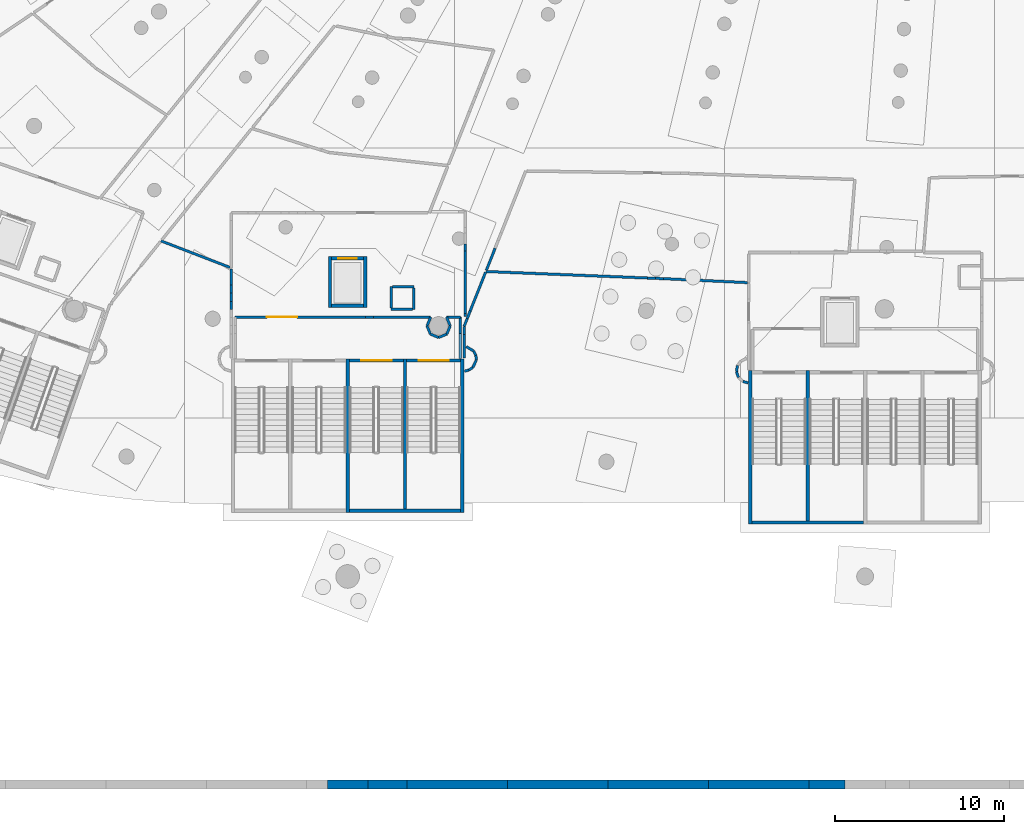
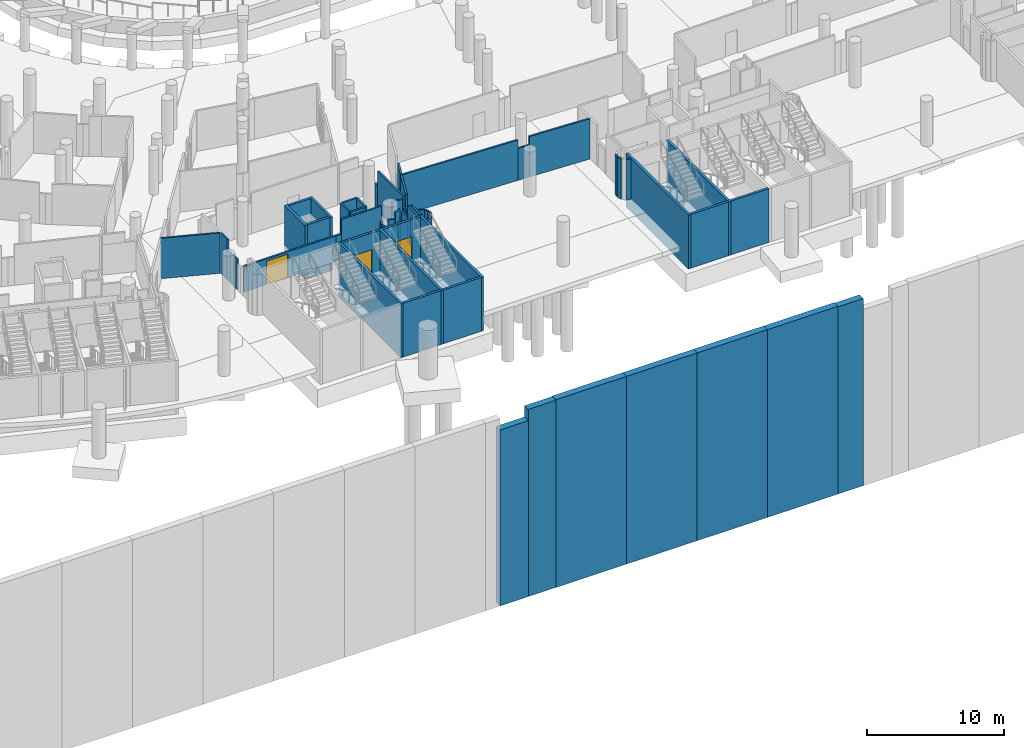
# One storey, part 39 of 142: 63 walls, 4 doors, 4 openings.
"""IFC4 building model written with IfcOpenShell, lengths in metres."""

from ifc_helpers import new_model, si_unit, direction, frame, frame_2d, origin, place, context, subcontext, project, spatial, rectangle, extrude, material, layer, layer_set, type_object, element, fill, save


model = new_model("IFC4")

# Units and contexts
model_context = context("Model", 3, precision=1e-05, world=origin(), true_north=direction((0.0, 1.0)))
body_context = subcontext(model_context, "Body", "Model", "MODEL_VIEW")
ifc_project = project(units=[si_unit("LENGTHUNIT", "METRE"), si_unit("AREAUNIT", "SQUARE_METRE"), si_unit("VOLUMEUNIT", "CUBIC_METRE"), si_unit("PLANEANGLEUNIT", "RADIAN"), si_unit("MASSUNIT", "GRAM", prefix="KILO")], contexts=[model_context])

# Site, building, storey
site_placement = place(None, origin())
site = spatial("IfcSite", under=ifc_project, at=site_placement, CompositionType="ELEMENT")
building_placement = place(site_placement, origin())
building = spatial("IfcBuilding", under=site, at=building_placement, Name="Meseta Stadium", CompositionType="ELEMENT")
storey_placement = place(building_placement, frame((0.0, 0.0, -4.0)))
storey = spatial("IfcBuildingStorey", under=building, at=storey_placement, Name="B1", CompositionType="ELEMENT", Elevation=-4.0)

# Walls
ifc_material_1 = material(Name="Concrete C40/50", Category="concrete")
ifc_layer_1 = layer(ifc_material_1, 0.199951171875)
ifc_layer_set_1 = layer_set([ifc_layer_1], Name="Core divider wall 200")
wall_type_1 = type_object("IfcWallType", Name="Core divider wall 200", PredefinedType="SHEAR", material=ifc_layer_set_1)
for number, where, z_axis, x_axis, name in (
    (1, (-34.933349609375, -101.60009765625, -1.199951171875), (0.0, 0.0, 1.0), (0.0, 1.0, 0.0), "Core 23 B1 stair B divider wall"),
    (2, (-11.066650390625, -102.300048828125, -1.199951171875), (0.0, 0.0, 1.0), (0.0, 1.0, 0.0), "Core 24 B1 stair A divider wall"),
):
    element("IfcWall", number, at=place(storey_placement, frame(where, z_axis=z_axis, x_axis=x_axis)), inside=storey, type_object=wall_type_1, Name=name, PredefinedType="SHEAR", context=body_context, shape_type="SweptSolid", body=[
        extrude(rectangle(XDim=9.10009765625, YDim=0.199951171875, at=frame_2d((4.550048828125, 0.0))), origin(), (0.0, 0.0, 1.0), 4.800048828125),
    ])
ifc_material_2 = material(Name="Concrete C40/50", Category="concrete")
ifc_layer_2 = layer(ifc_material_2, 0.199951171875)
ifc_layer_set_2 = layer_set([ifc_layer_2], Name="Core shaft wall 200")
wall_type_2 = type_object("IfcWallType", Name="Core shaft wall 200", PredefinedType="SHEAR", material=ifc_layer_set_2)
for number, where, z_axis, x_axis, name in (
    (3, (-38.333251953125, -101.60009765625, -1.199951171875), (0.0, 0.0, 1.0), (0.0, 1.0, 0.0), "Core 23 B1 stair wall shared"),
    (4, (-31.533203125, -101.60009765625, -1.199951171875), (0.0, 0.0, 1.0), (0.0, 1.0, 0.0), "Core 23 B1 stair wall B-side"),
):
    element("IfcWall", number, at=place(storey_placement, frame(where, z_axis=z_axis, x_axis=x_axis)), inside=storey, type_object=wall_type_2, Name=name, PredefinedType="SHEAR", context=body_context, shape_type="SweptSolid", body=[
        extrude(rectangle(XDim=9.10009765625, YDim=0.199951171875, at=frame_2d((4.550048828125, 0.0))), origin(), (0.0, 0.0, 1.0), 4.800048828125),
    ])
wall_1_placement = place(storey_placement, frame((-38.2333984375, -101.5, -1.199951171875), z_axis=(0.0, 0.0, 1.0), x_axis=(1.0, 0.0, 0.0)))
element("IfcWall", 5, at=wall_1_placement, inside=storey, type_object=wall_type_2, Name="Core 23 B1 stair B outer end wall", PredefinedType="SHEAR", context=body_context, shape_type="SweptSolid", body=[
    extrude(rectangle(XDim=6.60009765625, YDim=0.199951171875, at=frame_2d((3.300048828125, 0.0))), origin(), (0.0, 0.0, 1.0), 4.800048828125),
])

# Wall, opening, door
wall_2_placement = place(storey_placement, frame((-38.2333984375, -92.60009765625, -1.199951171875), z_axis=(0.0, 0.0, 1.0), x_axis=(1.0, 0.0, 0.0)))
wall_2 = element("IfcWall", 6, at=wall_2_placement, inside=storey, type_object=wall_type_2, Name="Core 23 B1 stair B1 inner end wall", PredefinedType="SHEAR", context=body_context, shape_type="SweptSolid", body=[
    extrude(rectangle(XDim=3.2001953125, YDim=0.199951171875, at=frame_2d((1.60009765625, 0.0))), origin(), (0.0, 0.0, 1.0), 4.800048828125),
])
opening_1_placement = place(wall_2_placement, frame((0.699951171875, 0.0, 1.199951171875)))
opening_1 = element("IfcOpeningElement", 7, at=opening_1_placement, cuts=wall_2, Name="Opening D307", PredefinedType="OPENING", context=body_context, shape_type="SweptSolid", body=[
    extrude(rectangle(XDim=1.800048828125, YDim=2.10009765625, at=frame_2d((0.89990234375, 1.050048828125))), frame((0.0, 0.10986328125, 0.0), z_axis=(0.0, -1.0, 0.0), x_axis=(1.0, 0.0, 0.0)), (0.0, 0.0, 1.0), 0.219970703125),
])
ifc_material_3 = material(Name="Steel", Category="steel")
door_type_1 = type_object("IfcDoorType", Name="Stair door 1800x2100", OperationType="DOUBLE_DOOR_SINGLE_SWING", PredefinedType="DOOR", material=ifc_material_3)
door_1_placement = place(opening_1_placement, origin())
door_1 = element("IfcDoor", 8, at=door_1_placement, inside=storey, type_object=door_type_1, Name="Stair B1 door 23 B1", OperationType="DOUBLE_DOOR_SINGLE_SWING", OverallHeight=2.10009765625, OverallWidth=1.800048828125, PredefinedType="DOOR", context=body_context, shape_type="SweptSolid", body=[
    extrude(rectangle(XDim=1.800048828125, YDim=2.10009765625, at=frame_2d((0.89990234375, 1.050048828125))), frame((0.0, 0.02490234375, 0.0), z_axis=(0.0, -1.0, 0.0), x_axis=(1.0, 0.0, 0.0)), (0.0, 0.0, 1.0), 0.050048828125),
])
fill(opening_1, door_1)

wall_3_placement = place(storey_placement, frame((-34.833251953125, -92.60009765625, -1.199951171875), z_axis=(0.0, 0.0, 1.0), x_axis=(1.0, 0.0, 0.0)))
wall_3 = element("IfcWall", 9, at=wall_3_placement, inside=storey, type_object=wall_type_2, Name="Core 23 B1 stair B2 inner end wall", PredefinedType="SHEAR", context=body_context, shape_type="SweptSolid", body=[
    extrude(rectangle(XDim=3.199951171875, YDim=0.199951171875, at=frame_2d((1.60009765625, 0.0))), origin(), (0.0, 0.0, 1.0), 4.800048828125),
])
opening_2_placement = place(wall_3_placement, frame((0.699951171875, 0.0, 1.199951171875)))
opening_2 = element("IfcOpeningElement", 10, at=opening_2_placement, cuts=wall_3, Name="Opening D308", PredefinedType="OPENING", context=body_context, shape_type="SweptSolid", body=[
    extrude(rectangle(XDim=1.800048828125, YDim=2.10009765625, at=frame_2d((0.89990234375, 1.050048828125))), frame((0.0, 0.10986328125, 0.0), z_axis=(0.0, -1.0, 0.0), x_axis=(1.0, 0.0, 0.0)), (0.0, 0.0, 1.0), 0.219970703125),
])
door_2_placement = place(opening_2_placement, origin())
door_2 = element("IfcDoor", 11, at=door_2_placement, inside=storey, type_object=door_type_1, Name="Stair B2 door 23 B1", OperationType="DOUBLE_DOOR_SINGLE_SWING", OverallHeight=2.10009765625, OverallWidth=1.800048828125, PredefinedType="DOOR", context=body_context, shape_type="SweptSolid", body=[
    extrude(rectangle(XDim=1.800048828125, YDim=2.10009765625, at=frame_2d((0.89990234375, 1.050048828125))), frame((0.0, 0.02490234375, 0.0), z_axis=(0.0, -1.0, 0.0), x_axis=(1.0, 0.0, 0.0)), (0.0, 0.0, 1.0), 0.050048828125),
])
fill(opening_2, door_2)

# Walls
for number, where, z_axis, x_axis, name in (
    (12, (-39.38330078125, -89.451171875, -1.199951171875), (0.0, 0.0, 1.0), (0.0, 1.0, 0.0), "Core 23 B1 lift shaft wall left"),
    (13, (-37.283203125, -89.451171875, -1.199951171875), (0.0, 0.0, 1.0), (0.0, 1.0, 0.0), "Core 23 B1 lift shaft wall right"),
):
    element("IfcWall", number, at=place(storey_placement, frame(where, z_axis=z_axis, x_axis=x_axis)), inside=storey, type_object=wall_type_2, Name=name, PredefinedType="SHEAR", context=body_context, shape_type="SweptSolid", body=[
        extrude(rectangle(XDim=3.0, YDim=0.199951171875, at=frame_2d((1.5, 0.0))), origin(), (0.0, 0.0, 1.0), 4.800048828125),
    ])
wall_4_placement = place(storey_placement, frame((-39.283203125, -89.35107421875, -1.199951171875), z_axis=(0.0, 0.0, 1.0), x_axis=(1.0, 0.0, 0.0)))
element("IfcWall", 14, at=wall_4_placement, inside=storey, type_object=wall_type_2, Name="Core 23 B1 lift shaft back wall", PredefinedType="SHEAR", context=body_context, shape_type="SweptSolid", body=[
    extrude(rectangle(XDim=1.89990234375, YDim=0.199951171875, at=frame_2d((0.949951171875, 0.0))), origin(), (0.0, 0.0, 1.0), 4.800048828125),
])

# Wall, opening, door
wall_5_placement = place(storey_placement, frame((-39.283203125, -86.551025390625, -1.199951171875), z_axis=(0.0, 0.0, 1.0), x_axis=(1.0, 0.0, 0.0)))
wall_5 = element("IfcWall", 15, at=wall_5_placement, inside=storey, type_object=wall_type_2, Name="Core 23 B1 lift shaft front wall", PredefinedType="SHEAR", context=body_context, shape_type="SweptSolid", body=[
    extrude(rectangle(XDim=1.89990234375, YDim=0.199951171875, at=frame_2d((0.949951171875, 0.0))), origin(), (0.0, 0.0, 1.0), 4.800048828125),
])
opening_3_placement = place(wall_5_placement, frame((0.39990234375, 0.0, 1.199951171875)))
opening_3 = element("IfcOpeningElement", 16, at=opening_3_placement, cuts=wall_5, Name="Opening LD125", PredefinedType="OPENING", context=body_context, shape_type="SweptSolid", body=[
    extrude(rectangle(XDim=1.10009765625, YDim=2.10009765625, at=frame_2d((0.550048828125, 1.050048828125))), frame((0.0, 0.10986328125, 0.0), z_axis=(0.0, -1.0, 0.0), x_axis=(1.0, 0.0, 0.0)), (0.0, 0.0, 1.0), 0.219970703125),
])
ifc_material_4 = material(Name="Steel", Category="steel")
door_type_2 = type_object("IfcDoorType", Name="Lift landing door 1100x2100", OperationType="SLIDING_TO_LEFT", PredefinedType="DOOR", material=ifc_material_4)
door_3_placement = place(opening_3_placement, origin())
door_3 = element("IfcDoor", 17, at=door_3_placement, inside=storey, type_object=door_type_2, Name="Lift landing door LD125", OperationType="SLIDING_TO_LEFT", OverallHeight=2.10009765625, OverallWidth=1.10009765625, PredefinedType="DOOR", context=body_context, shape_type="SweptSolid", body=[
    extrude(rectangle(XDim=1.10009765625, YDim=2.10009765625, at=frame_2d((0.550048828125, 1.050048828125))), frame((0.0, 0.02490234375, 0.0), z_axis=(0.0, -1.0, 0.0), x_axis=(1.0, 0.0, 0.0)), (0.0, 0.0, 1.0), 0.050048828125),
])
fill(opening_3, door_3)

# Walls
wall_6_placement = place(storey_placement, frame((-14.466796875, -102.300048828125, -1.199951171875), z_axis=(0.0, 0.0, 1.0), x_axis=(0.0, 1.0, 0.0)))
element("IfcWall", 18, at=wall_6_placement, inside=storey, type_object=wall_type_2, Name="Core 24 B1 stair wall A-side", PredefinedType="SHEAR", context=body_context, shape_type="SweptSolid", body=[
    extrude(rectangle(XDim=9.10009765625, YDim=0.199951171875, at=frame_2d((4.550048828125, 0.0))), origin(), (0.0, 0.0, 1.0), 4.800048828125),
])
wall_7_placement = place(storey_placement, frame((-14.36669921875, -102.199951171875, -1.199951171875), z_axis=(0.0, 0.0, 1.0), x_axis=(1.0, 0.0, 0.0)))
element("IfcWall", 19, at=wall_7_placement, inside=storey, type_object=wall_type_2, Name="Core 24 B1 stair A outer end wall", PredefinedType="SHEAR", context=body_context, shape_type="SweptSolid", body=[
    extrude(rectangle(XDim=6.60009765625, YDim=0.199951171875, at=frame_2d((3.300048828125, 0.0))), origin(), (0.0, 0.0, 1.0), 4.800048828125),
])
ifc_material_5 = material(Name="Masonry blockwork", Category="masonry")
ifc_layer_3 = layer(ifc_material_5, 0.14990234375)
ifc_layer_set_3 = layer_set([ifc_layer_3], Name="Partition 150")
wall_type_3 = type_object("IfcWallType", Name="Partition 150", PredefinedType="PARTITIONING", material=ifc_layer_set_3)
wall_8_placement = place(storey_placement, frame((-45.308349609375, -87.085205078125, 0.0), z_axis=(0.0, 0.0, 1.0), x_axis=(-0.933326928839, 0.359027636685, 0.0)))
element("IfcWall", 20, at=wall_8_placement, inside=storey, type_object=wall_type_3, Name="Partition B1 B1-cell21-2-0", PredefinedType="PARTITIONING", context=body_context, shape_type="SweptSolid", body=[
    extrude(rectangle(XDim=4.3798828125, YDim=0.14990234375, at=frame_2d((2.18994140625, 0.0))), origin(), (0.0, 0.0, 1.0), 3.60009765625),
])
wall_9_placement = place(storey_placement, frame((-45.2333984375, -87.1640625, 0.0), z_axis=(0.0, 0.0, 1.0), x_axis=(0.0, -1.0, 0.0)))
element("IfcWall", 21, at=wall_9_placement, inside=storey, type_object=wall_type_3, Name="Partition B1 B1-cell21-3-0", PredefinedType="PARTITIONING", context=body_context, shape_type="SweptSolid", body=[
    extrude(rectangle(XDim=0.962890625, YDim=0.14990234375, at=frame_2d((0.4814453125, 0.0))), origin(), (0.0, 0.0, 1.0), 3.60009765625),
])
for number, where, z_axis, x_axis, name in (
    (22, (-45.2333984375, -88.126953125, 0.0), (0.0, 0.0, 1.0), (0.0, -1.0, 0.0), "Partition B1 B1-cell21-3-0"),
    (23, (-45.2333984375, -88.6083984375, 0.0), (0.0, 0.0, 1.0), (0.0, -1.0, 0.0), "Partition B1 B1-cell21-3-0"),
    (24, (-45.2333984375, -89.08984375, 0.0), (0.0, 0.0, 1.0), (0.0, -1.0, 0.0), "Partition B1 B1-cell21-3-0"),
):
    element("IfcWall", number, at=place(storey_placement, frame(where, z_axis=z_axis, x_axis=x_axis)), inside=storey, type_object=wall_type_3, Name=name, PredefinedType="PARTITIONING", context=body_context, shape_type="SweptSolid", body=[
        extrude(rectangle(XDim=0.4814453125, YDim=0.14990234375, at=frame_2d((0.24072265625, 0.0))), origin(), (0.0, 0.0, 1.0), 2.699951171875),
    ])
wall_10_placement = place(storey_placement, frame((-14.6416015625, -87.985107421875, 0.0), z_axis=(0.0, 0.0, 1.0), x_axis=(-0.998880990071, 0.047294478265, 0.0)))
element("IfcWall", 25, at=wall_10_placement, inside=storey, type_object=wall_type_3, Name="Partition B1 B1-cell22-1-0", PredefinedType="PARTITIONING", context=body_context, shape_type="SweptSolid", body=[
    extrude(rectangle(XDim=4.97119140625, YDim=0.14990234375, at=frame_2d((2.485595703125, 0.0))), origin(), (0.0, 0.0, 1.0), 3.60009765625),
])
wall_11_placement = place(storey_placement, frame((-19.607177734375, -87.75, 0.0), z_axis=(0.0, 0.0, 1.0), x_axis=(-0.999190347819, 0.040232435004, 0.0)))
element("IfcWall", 26, at=wall_11_placement, inside=storey, type_object=wall_type_3, Name="Partition B1 B1-cell22-1-0", PredefinedType="PARTITIONING", context=body_context, shape_type="SweptSolid", body=[
    extrude(rectangle(XDim=0.4794921875, YDim=0.14990234375, at=frame_2d((0.23974609375, 0.0))), origin(), (0.0, 0.0, 1.0), 2.85009765625),
])
wall_12_placement = place(storey_placement, frame((-20.086181640625, -87.730712890625, 0.0), z_axis=(0.0, 0.0, 1.0), x_axis=(-0.999189522857, 0.040252918055, 0.0)))
element("IfcWall", 27, at=wall_12_placement, inside=storey, type_object=wall_type_3, Name="Partition B1 B1-cell22-1-0", PredefinedType="PARTITIONING", context=body_context, shape_type="SweptSolid", body=[
    extrude(rectangle(XDim=0.479248046875, YDim=0.14990234375, at=frame_2d((0.23974609375, 0.0))), origin(), (0.0, 0.0, 1.0), 2.85009765625),
])
wall_13_placement = place(storey_placement, frame((-20.56494140625, -87.71142578125, 0.0), z_axis=(0.0, 0.0, 1.0), x_axis=(-0.999191082899, 0.040214174799, 0.0)))
element("IfcWall", 28, at=wall_13_placement, inside=storey, type_object=wall_type_3, Name="Partition B1 B1-cell22-1-0", PredefinedType="PARTITIONING", context=body_context, shape_type="SweptSolid", body=[
    extrude(rectangle(XDim=9.586181640625, YDim=0.14990234375, at=frame_2d((4.79296875, 0.0))), origin(), (0.0, 0.0, 1.0), 3.60009765625),
])
wall_14_placement = place(storey_placement, frame((-30.114013671875, -87.251953125, 0.0), z_axis=(0.0, 0.0, 1.0), x_axis=(0.368802456255, 0.929507798924, 0.0)))
element("IfcWall", 29, at=wall_14_placement, inside=storey, type_object=wall_type_3, Name="Partition B1 B1-cell22-1-0", PredefinedType="PARTITIONING", context=body_context, shape_type="SweptSolid", body=[
    extrude(rectangle(XDim=1.3994140625, YDim=0.14990234375, at=frame_2d((0.69970703125, 0.0))), origin(), (0.0, 0.0, 1.0), 3.60009765625),
])
wall_15_placement = place(storey_placement, frame((-31.433349609375, -92.4599609375, 0.0), z_axis=(0.0, 0.0, 1.0), x_axis=(0.0, 1.0, 0.0)))
element("IfcWall", 30, at=wall_15_placement, inside=storey, type_object=wall_type_3, Name="Partition B1 B1-cell22-2-0", PredefinedType="PARTITIONING", context=body_context, shape_type="SweptSolid", body=[
    extrude(rectangle(XDim=1.41259765625, YDim=0.14990234375, at=frame_2d((0.706298828125, 0.0))), origin(), (0.0, 0.0, 1.0), 3.60009765625),
])
wall_16_placement = place(storey_placement, frame((-31.433349609375, -91.04736328125, 0.0), z_axis=(0.0, 0.0, 1.0), x_axis=(0.0, 1.0, 0.0)))
element("IfcWall", 31, at=wall_16_placement, inside=storey, type_object=wall_type_3, Name="Partition B1 B1-cell22-2-0", PredefinedType="PARTITIONING", context=body_context, shape_type="SweptSolid", body=[
    extrude(rectangle(XDim=0.470703125, YDim=0.14990234375, at=frame_2d((0.2353515625, 0.0))), origin(), (0.0, 0.0, 1.0), 2.5),
])
for number, where, z_axis, x_axis, name in (
    (32, (-31.433349609375, -90.57666015625, 0.0), (0.0, 0.0, 1.0), (0.368825125467, 0.9294988041, 0.0), "Partition B1 B1-cell22-2-0"),
    (33, (-31.251708984375, -90.118896484375, 0.0), (0.0, 0.0, 1.0), (0.368825125467, 0.9294988041, 0.0), "Partition B1 B1-cell22-2-0"),
):
    element("IfcWall", number, at=place(storey_placement, frame(where, z_axis=z_axis, x_axis=x_axis)), inside=storey, type_object=wall_type_3, Name=name, PredefinedType="PARTITIONING", context=body_context, shape_type="SweptSolid", body=[
        extrude(rectangle(XDim=0.492431640625, YDim=0.14990234375, at=frame_2d((0.24609375, 0.0))), origin(), (0.0, 0.0, 1.0), 2.5),
    ])
wall_17_placement = place(storey_placement, frame((-31.070068359375, -89.6611328125, 0.0), z_axis=(0.0, 0.0, 1.0), x_axis=(0.368825125467, 0.9294988041, 0.0)))
element("IfcWall", 34, at=wall_17_placement, inside=storey, type_object=wall_type_3, Name="Partition B1 B1-cell22-2-0", PredefinedType="PARTITIONING", context=body_context, shape_type="SweptSolid", body=[
    extrude(rectangle(XDim=2.46240234375, YDim=0.14990234375, at=frame_2d((1.231201171875, 0.0))), origin(), (0.0, 0.0, 1.0), 3.60009765625),
])
wall_18_placement = place(storey_placement, frame((-35.75830078125, -89.576171875, 0.0), z_axis=(0.0, 0.0, 1.0), x_axis=(1.0, 0.0, 0.0)))
element("IfcWall", 35, at=wall_18_placement, inside=storey, type_object=wall_type_3, Name="Pressurisation shaft wall B1 core 23", PredefinedType="PARTITIONING", context=body_context, shape_type="SweptSolid", body=[
    extrude(rectangle(XDim=1.27490234375, YDim=0.14990234375, at=frame_2d((0.637451171875, 0.0))), origin(), (0.0, 0.0, 1.0), 3.60009765625),
])
for number, where, z_axis, x_axis, name in (
    (36, (-34.408203125, -89.576171875, 0.0), (0.0, 0.0, 1.0), (0.0, 1.0, 0.0), "Pressurisation shaft wall B1 core 23"),
    (37, (-34.408203125, -88.22607421875, 0.0), (0.0, 0.0, 1.0), (-1.0, 0.0, 0.0), "Pressurisation shaft wall B1 core 23"),
    (38, (-35.75830078125, -88.22607421875, 0.0), (0.0, 0.0, 1.0), (0.0, -1.0, 0.0), "Pressurisation shaft wall B1 core 23"),
):
    element("IfcWall", number, at=place(storey_placement, frame(where, z_axis=z_axis, x_axis=x_axis)), inside=storey, type_object=wall_type_3, Name=name, PredefinedType="PARTITIONING", context=body_context, shape_type="SweptSolid", body=[
        extrude(rectangle(XDim=1.275146484375, YDim=0.14990234375, at=frame_2d((0.6376953125, 0.0))), origin(), (0.0, 0.0, 1.0), 3.60009765625),
    ])
wall_19_placement = place(storey_placement, frame((-31.658203125, -92.489990234375, 0.0), z_axis=(0.0, 0.0, 1.0), x_axis=(0.0, 1.0, 0.0)))
element("IfcWall", 39, at=wall_19_placement, inside=storey, type_object=wall_type_3, Name="Stair vestibule wall B1 core 23", PredefinedType="PARTITIONING", context=body_context, shape_type="SweptSolid", body=[
    extrude(rectangle(XDim=2.465087890625, YDim=0.14990234375, at=frame_2d((1.232421875, 0.0))), origin(), (0.0, 0.0, 1.0), 2.5),
])
wall_20_placement = place(storey_placement, frame((-31.658203125, -92.489990234375, 2.5), z_axis=(0.0, 0.0, 1.0), x_axis=(0.0, 1.0, 0.0)))
element("IfcWall", 40, at=wall_20_placement, inside=storey, type_object=wall_type_3, Name="Stair vestibule wall B1 core 23", PredefinedType="PARTITIONING", context=body_context, shape_type="SweptSolid", body=[
    extrude(rectangle(XDim=1.47900390625, YDim=0.14990234375, at=frame_2d((0.739501953125, 0.0))), origin(), (0.0, 0.0, 1.0), 1.10009765625),
])
wall_21_placement = place(storey_placement, frame((-31.658203125, -90.02490234375, 0.0), z_axis=(0.0, 0.0, 1.0), x_axis=(-1.0, 0.0, 0.0)))
element("IfcWall", 41, at=wall_21_placement, inside=storey, type_object=wall_type_3, Name="Stair vestibule wall B1 core 23", PredefinedType="PARTITIONING", context=body_context, shape_type="SweptSolid", body=[
    extrude(rectangle(XDim=0.817138671875, YDim=0.14990234375, at=frame_2d((0.40869140625, 0.0))), origin(), (0.0, 0.0, 1.0), 3.60009765625),
])
wall_22_placement = place(storey_placement, frame((-32.475341796875, -90.02490234375, 0.0), z_axis=(0.0, 0.0, 1.0), x_axis=(0.382452777268, -0.923975039252, 0.0)))
element("IfcWall", 42, at=wall_22_placement, inside=storey, type_object=wall_type_3, Name="Stair vestibule wall B1 core 23", PredefinedType="PARTITIONING", context=body_context, shape_type="SweptSolid", body=[
    extrude(rectangle(XDim=0.5693359375, YDim=0.14990234375, at=frame_2d((0.28466796875, 0.0))), origin(), (0.0, 0.0, 1.0), 2.5),
])
wall_23_placement = place(storey_placement, frame((-32.257568359375, -90.551025390625, 0.0), z_axis=(0.0, 0.0, 1.0), x_axis=(-0.382666625355, -0.923886494024, 0.0)))
element("IfcWall", 43, at=wall_23_placement, inside=storey, type_object=wall_type_3, Name="Stair vestibule wall B1 core 23", PredefinedType="PARTITIONING", context=body_context, shape_type="SweptSolid", body=[
    extrude(rectangle(XDim=0.525146484375, YDim=0.14990234375, at=frame_2d((0.2626953125, 0.0))), origin(), (0.0, 0.0, 1.0), 2.5),
])
wall_24_placement = place(storey_placement, frame((-32.45849609375, -91.0361328125, 0.0), z_axis=(0.0, 0.0, 1.0), x_axis=(-0.923694016012, -0.383131002117, 0.0)))
element("IfcWall", 44, at=wall_24_placement, inside=storey, type_object=wall_type_3, Name="Stair vestibule wall B1 core 23", PredefinedType="PARTITIONING", context=body_context, shape_type="SweptSolid", body=[
    extrude(rectangle(XDim=0.525634765625, YDim=0.14990234375, at=frame_2d((0.2626953125, 0.0))), origin(), (0.0, 0.0, 1.0), 3.60009765625),
])
wall_25_placement = place(storey_placement, frame((-32.944091796875, -91.237548828125, 0.0), z_axis=(0.0, 0.0, 1.0), x_axis=(-0.923625802966, 0.383295416221, 0.0)))
element("IfcWall", 45, at=wall_25_placement, inside=storey, type_object=wall_type_3, Name="Stair vestibule wall B1 core 23", PredefinedType="PARTITIONING", context=body_context, shape_type="SweptSolid", body=[
    extrude(rectangle(XDim=0.525390625, YDim=0.14990234375, at=frame_2d((0.2626953125, 0.0))), origin(), (0.0, 0.0, 1.0), 3.0),
])
wall_26_placement = place(storey_placement, frame((-33.429443359375, -91.0361328125, 0.0), z_axis=(0.0, 0.0, 1.0), x_axis=(-0.382666625355, 0.923886494024, 0.0)))
element("IfcWall", 46, at=wall_26_placement, inside=storey, type_object=wall_type_3, Name="Stair vestibule wall B1 core 23", PredefinedType="PARTITIONING", context=body_context, shape_type="SweptSolid", body=[
    extrude(rectangle(XDim=0.525146484375, YDim=0.14990234375, at=frame_2d((0.2626953125, 0.0))), origin(), (0.0, 0.0, 1.0), 2.300048828125),
])
wall_27_placement = place(storey_placement, frame((-33.63037109375, -90.551025390625, 0.0), z_axis=(0.0, 0.0, 1.0), x_axis=(0.382452777268, 0.923975039252, 0.0)))
element("IfcWall", 47, at=wall_27_placement, inside=storey, type_object=wall_type_3, Name="Stair vestibule wall B1 core 23", PredefinedType="PARTITIONING", context=body_context, shape_type="SweptSolid", body=[
    extrude(rectangle(XDim=0.5693359375, YDim=0.14990234375, at=frame_2d((0.28466796875, 0.0))), origin(), (0.0, 0.0, 1.0), 2.300048828125),
])
wall_28_placement = place(storey_placement, frame((-33.41259765625, -90.02490234375, 0.0), z_axis=(0.0, 0.0, 1.0), x_axis=(-1.0, 0.0, 0.0)))
element("IfcWall", 48, at=wall_28_placement, inside=storey, type_object=wall_type_3, Name="Stair vestibule wall B1 core 23", PredefinedType="PARTITIONING", context=body_context, shape_type="SweptSolid", body=[
    extrude(rectangle(XDim=3.382080078125, YDim=0.14990234375, at=frame_2d((1.69091796875, 0.0))), origin(), (0.0, 0.0, 1.0), 3.60009765625),
])
wall_29_placement = place(storey_placement, frame((-36.794677734375, -90.02490234375, 0.0), z_axis=(0.0, 0.0, 1.0), x_axis=(-1.0, 0.0, 0.0)))
element("IfcWall", 49, at=wall_29_placement, inside=storey, type_object=wall_type_3, Name="Stair vestibule wall B1 core 23", PredefinedType="PARTITIONING", context=body_context, shape_type="SweptSolid", body=[
    extrude(rectangle(XDim=0.483154296875, YDim=0.14990234375, at=frame_2d((0.24169921875, 0.0))), origin(), (0.0, 0.0, 1.0), 2.300048828125),
])

# Wall, opening, door
wall_30_placement = place(storey_placement, frame((-37.27783203125, -90.02490234375, 0.0), z_axis=(0.0, 0.0, 1.0), x_axis=(-1.0, 0.0, 0.0)))
wall_30 = element("IfcWall", 50, at=wall_30_placement, inside=storey, type_object=wall_type_3, Name="Stair vestibule wall B1 core 23", PredefinedType="PARTITIONING", context=body_context, shape_type="SweptSolid", body=[
    extrude(rectangle(XDim=7.73046875, YDim=0.14990234375, at=frame_2d((3.865234375, 0.0))), origin(), (0.0, 0.0, 1.0), 2.300048828125),
])
opening_4_placement = place(wall_30_placement, frame((4.050048828125, 0.0, 0.0)))
opening_4 = element("IfcOpeningElement", 51, at=opening_4_placement, cuts=wall_30, Name="Opening D737", PredefinedType="OPENING", context=body_context, shape_type="SweptSolid", body=[
    extrude(rectangle(XDim=1.800048828125, YDim=2.10009765625, at=frame_2d((0.89990234375, 1.050048828125))), frame((0.0, 0.0849609375, 0.0), z_axis=(0.0, -1.0, 0.0), x_axis=(1.0, 0.0, 0.0)), (0.0, 0.0, 1.0), 0.169921875),
])
ifc_material_6 = material(Name="Steel", Category="steel")
door_type_3 = type_object("IfcDoorType", Name="Fire double door 1800x2100 EI2 60", OperationType="DOUBLE_DOOR_SINGLE_SWING", PredefinedType="DOOR", material=ifc_material_6)
door_4_placement = place(opening_4_placement, origin())
door_4 = element("IfcDoor", 52, at=door_4_placement, inside=storey, type_object=door_type_3, Name="Stair vestibule door B1 core 23", OperationType="DOUBLE_DOOR_SINGLE_SWING", OverallHeight=2.10009765625, OverallWidth=1.800048828125, PredefinedType="DOOR", context=body_context, shape_type="SweptSolid", body=[
    extrude(rectangle(XDim=1.800048828125, YDim=2.10009765625, at=frame_2d((0.89990234375, 1.050048828125))), frame((0.0, 0.02490234375, 0.0), z_axis=(0.0, -1.0, 0.0), x_axis=(1.0, 0.0, 0.0)), (0.0, 0.0, 1.0), 0.050048828125),
])
fill(opening_4, door_4)

# Walls
wall_31_placement = place(storey_placement, frame((-31.40478515625, -93.229736328125, 0.0), z_axis=(0.0, 0.0, 1.0), x_axis=(0.973130593004, 0.230253879357, 0.0)))
element("IfcWall", 53, at=wall_31_placement, inside=storey, type_object=wall_type_3, Name="Stair vestibule wall B1 core 23", PredefinedType="PARTITIONING", context=body_context, shape_type="SweptSolid", body=[
    extrude(rectangle(XDim=0.257568359375, YDim=0.14990234375, at=frame_2d((0.12890625, 0.0))), origin(), (0.0, 0.0, 1.0), 3.60009765625),
])
wall_32_placement = place(storey_placement, frame((-31.154052734375, -93.17041015625, 0.0), z_axis=(0.0, 0.0, 1.0), x_axis=(0.831397130511, 0.555678694372, 0.0)))
element("IfcWall", 54, at=wall_32_placement, inside=storey, type_object=wall_type_3, Name="Stair vestibule wall B1 core 23", PredefinedType="PARTITIONING", context=body_context, shape_type="SweptSolid", body=[
    extrude(rectangle(XDim=0.287841796875, YDim=0.14990234375, at=frame_2d((0.14404296875, 0.0))), origin(), (0.0, 0.0, 1.0), 3.60009765625),
])
wall_33_placement = place(storey_placement, frame((-30.914794921875, -93.010498046875, 0.0), z_axis=(0.0, 0.0, 1.0), x_axis=(0.427757963167, 0.903893315025, 0.0)))
element("IfcWall", 55, at=wall_33_placement, inside=storey, type_object=wall_type_3, Name="Stair vestibule wall B1 core 23", PredefinedType="PARTITIONING", context=body_context, shape_type="SweptSolid", body=[
    extrude(rectangle(XDim=0.4794921875, YDim=0.14990234375, at=frame_2d((0.23974609375, 0.0))), origin(), (0.0, 0.0, 1.0), 3.60009765625),
])
wall_34_placement = place(storey_placement, frame((-30.709716796875, -92.5771484375, 0.0), z_axis=(0.0, 0.0, 1.0), x_axis=(-0.0978334953, 0.99520279702, 0.0)))
element("IfcWall", 56, at=wall_34_placement, inside=storey, type_object=wall_type_3, Name="Stair vestibule wall B1 core 23", PredefinedType="PARTITIONING", context=body_context, shape_type="SweptSolid", body=[
    extrude(rectangle(XDim=0.28955078125, YDim=0.14990234375, at=frame_2d((0.144775390625, 0.0))), origin(), (0.0, 0.0, 1.0), 3.60009765625),
])
wall_35_placement = place(storey_placement, frame((-30.738037109375, -92.2890625, 0.0), z_axis=(0.0, 0.0, 1.0), x_axis=(-0.471682765858, 0.881768319, 0.0)))
element("IfcWall", 57, at=wall_35_placement, inside=storey, type_object=wall_type_3, Name="Stair vestibule wall B1 core 23", PredefinedType="PARTITIONING", context=body_context, shape_type="SweptSolid", body=[
    extrude(rectangle(XDim=0.289306640625, YDim=0.14990234375, at=frame_2d((0.14453125, 0.0))), origin(), (0.0, 0.0, 1.0), 3.60009765625),
])
wall_36_placement = place(storey_placement, frame((-30.87451171875, -92.033935546875, 0.0), z_axis=(0.0, 0.0, 1.0), x_axis=(-0.85856712863, 0.512701166017, 0.0)))
element("IfcWall", 58, at=wall_36_placement, inside=storey, type_object=wall_type_3, Name="Stair vestibule wall B1 core 23", PredefinedType="PARTITIONING", context=body_context, shape_type="SweptSolid", body=[
    extrude(rectangle(XDim=0.50048828125, YDim=0.14990234375, at=frame_2d((0.250244140625, 0.0))), origin(), (0.0, 0.0, 1.0), 3.60009765625),
])
wall_37_placement = place(storey_placement, frame((-31.3583984375, -89.994140625, 0.0), z_axis=(0.0, 0.0, 1.0), x_axis=(0.0, 1.0, 0.0)))
element("IfcWall", 59, at=wall_37_placement, inside=storey, type_object=wall_type_3, Name="Stair vestibule wall B1 core 23", PredefinedType="PARTITIONING", context=body_context, shape_type="SweptSolid", body=[
    extrude(rectangle(XDim=0.180908203125, YDim=0.14990234375, at=frame_2d((0.09033203125, 0.0))), origin(), (0.0, 0.0, 1.0), 2.5),
])
wall_38_placement = place(storey_placement, frame((-31.3583984375, -89.813232421875, 0.0), z_axis=(0.0, 0.0, 1.0), x_axis=(0.0, 1.0, 0.0)))
element("IfcWall", 60, at=wall_38_placement, inside=storey, type_object=wall_type_3, Name="Stair vestibule wall B1 core 23", PredefinedType="PARTITIONING", context=body_context, shape_type="SweptSolid", body=[
    extrude(rectangle(XDim=3.715087890625, YDim=0.14990234375, at=frame_2d((1.857421875, 0.0))), origin(), (0.0, 0.0, 1.0), 3.60009765625),
])
wall_39_placement = place(storey_placement, frame((-31.3583984375, -86.09814453125, 0.0), z_axis=(0.0, 0.0, 1.0), x_axis=(0.0, 1.0, 0.0)))
element("IfcWall", 61, at=wall_39_placement, inside=storey, type_object=wall_type_3, Name="Stair vestibule wall B1 core 23", PredefinedType="PARTITIONING", context=body_context, shape_type="SweptSolid", body=[
    extrude(rectangle(XDim=0.388916015625, YDim=0.14990234375, at=frame_2d((0.1943359375, 0.0))), origin(), (0.0, 0.0, 1.0), 2.300048828125),
])
wall_40_placement = place(storey_placement, frame((-15.235595703125, -92.900634765625, 0.0), z_axis=(0.0, 0.0, 1.0), x_axis=(-0.146525059696, -0.989206958569, 0.0)))
element("IfcWall", 62, at=wall_40_placement, inside=storey, type_object=wall_type_3, Name="Stair vestibule wall B1 core 24", PredefinedType="PARTITIONING", context=body_context, shape_type="SweptSolid", body=[
    extrude(rectangle(XDim=0.375, YDim=0.14990234375, at=frame_2d((0.1875, 0.0))), origin(), (0.0, 0.0, 1.0), 3.60009765625),
])
wall_41_placement = place(storey_placement, frame((-15.29052734375, -93.271484375, 0.0), z_axis=(0.0, 0.0, 1.0), x_axis=(0.337299504999, -0.941397388953, 0.0)))
element("IfcWall", 63, at=wall_41_placement, inside=storey, type_object=wall_type_3, Name="Stair vestibule wall B1 core 24", PredefinedType="PARTITIONING", context=body_context, shape_type="SweptSolid", body=[
    extrude(rectangle(XDim=0.353271484375, YDim=0.14990234375, at=frame_2d((0.1767578125, 0.0))), origin(), (0.0, 0.0, 1.0), 3.60009765625),
])
wall_42_placement = place(storey_placement, frame((-14.91064453125, -93.840576171875, 0.0), z_axis=(0.0, 0.0, 1.0), x_axis=(0.96043719229, -0.278496678015, 0.0)))
element("IfcWall", 64, at=wall_42_placement, inside=storey, type_object=wall_type_3, Name="Stair vestibule wall B1 core 24", PredefinedType="PARTITIONING", context=body_context, shape_type="SweptSolid", body=[
    extrude(rectangle(XDim=0.324462890625, YDim=0.14990234375, at=frame_2d((0.162109375, 0.0))), origin(), (0.0, 0.0, 1.0), 3.60009765625),
])
ifc_material_7 = material(Name="Concrete C30/37", Category="concrete")
ifc_layer_4 = layer(ifc_material_7, 0.550048828125)
ifc_layer_set_4 = layer_set([ifc_layer_4], Name="Site retaining wall 550")
wall_type_4 = type_object("IfcWallType", Name="Site retaining wall 550", PredefinedType="SOLIDWALL", material=ifc_layer_set_4)
wall_43_placement = place(storey_placement, frame((-39.533203125, -117.72509765625, -13.0), z_axis=(0.0, 0.0, 1.0), x_axis=(1.0, 0.0, 0.0)))
element("IfcWall", 65, at=wall_43_placement, inside=storey, type_object=wall_type_4, Name="Site retaining wall 18", PredefinedType="SOLIDWALL", context=body_context, shape_type="SweptSolid", body=[
    extrude(rectangle(XDim=2.39990234375, YDim=0.550048828125, at=frame_2d((1.199951171875, 0.0))), origin(), (0.0, 0.0, 1.0), 15.699951171875),
])
wall_44_placement = place(storey_placement, frame((-37.13330078125, -117.72509765625, -13.0), z_axis=(0.0, 0.0, 1.0), x_axis=(1.0, 0.0, 0.0)))
element("IfcWall", 66, at=wall_44_placement, inside=storey, type_object=wall_type_4, Name="Site retaining wall 19", PredefinedType="SOLIDWALL", context=body_context, shape_type="SweptSolid", body=[
    extrude(rectangle(XDim=2.323974609375, YDim=0.550048828125, at=frame_2d((1.162109375, 0.0))), origin(), (0.0, 0.0, 1.0), 16.699951171875),
])
wall_45_placement = place(storey_placement, frame((-34.809326171875, -117.72509765625, -13.0), z_axis=(0.0, 0.0, 1.0), x_axis=(1.0, 0.0, 0.0)))
element("IfcWall", 67, at=wall_45_placement, inside=storey, type_object=wall_type_4, Name="Site retaining wall 20", PredefinedType="SOLIDWALL", context=body_context, shape_type="SweptSolid", body=[
    extrude(rectangle(XDim=5.9521484375, YDim=0.550048828125, at=frame_2d((2.97607421875, 0.0))), origin(), (0.0, 0.0, 1.0), 16.75),
])
for number, where, z_axis, x_axis, name in (
    (68, (-28.857177734375, -117.72509765625, -13.0), (0.0, 0.0, 1.0), (1.0, 0.0, 0.0), "Site retaining wall 21"),
    (69, (-22.90478515625, -117.72509765625, -13.0), (0.0, 0.0, 1.0), (1.0, 0.0, 0.0), "Site retaining wall 22"),
    (70, (-16.952392578125, -117.72509765625, -13.0), (0.0, 0.0, 1.0), (1.0, 0.0, 0.0), "Site retaining wall 23"),
):
    element("IfcWall", number, at=place(storey_placement, frame(where, z_axis=z_axis, x_axis=x_axis)), inside=storey, type_object=wall_type_4, Name=name, PredefinedType="SOLIDWALL", context=body_context, shape_type="SweptSolid", body=[
        extrude(rectangle(XDim=5.952392578125, YDim=0.550048828125, at=frame_2d((2.97607421875, 0.0))), origin(), (0.0, 0.0, 1.0), 16.75),
    ])
wall_46_placement = place(storey_placement, frame((-11.0, -117.72509765625, -13.0), z_axis=(0.0, 0.0, 1.0), x_axis=(1.0, 0.0, 0.0)))
element("IfcWall", 71, at=wall_46_placement, inside=storey, type_object=wall_type_4, Name="Site retaining wall 24", PredefinedType="SOLIDWALL", context=body_context, shape_type="SweptSolid", body=[
    extrude(rectangle(XDim=2.13330078125, YDim=0.550048828125, at=frame_2d((1.066650390625, 0.0))), origin(), (0.0, 0.0, 1.0), 16.699951171875),
])

save(model, "model.ifc")
